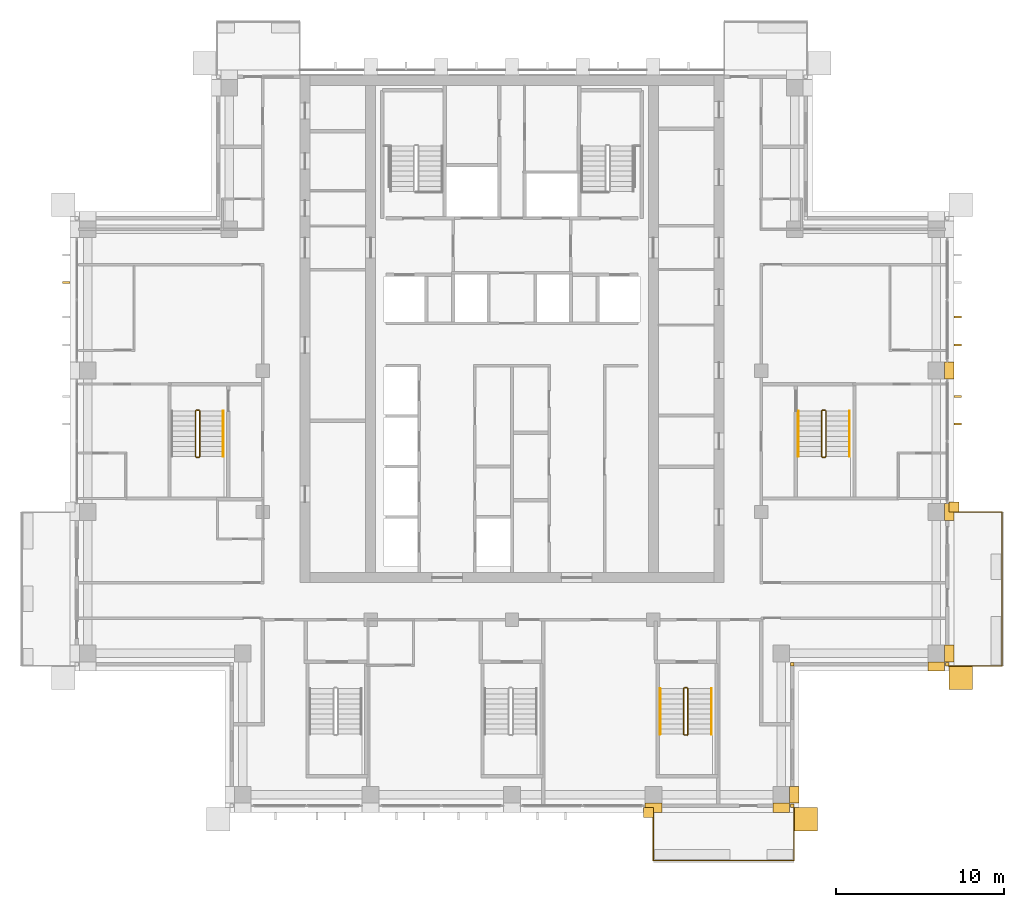
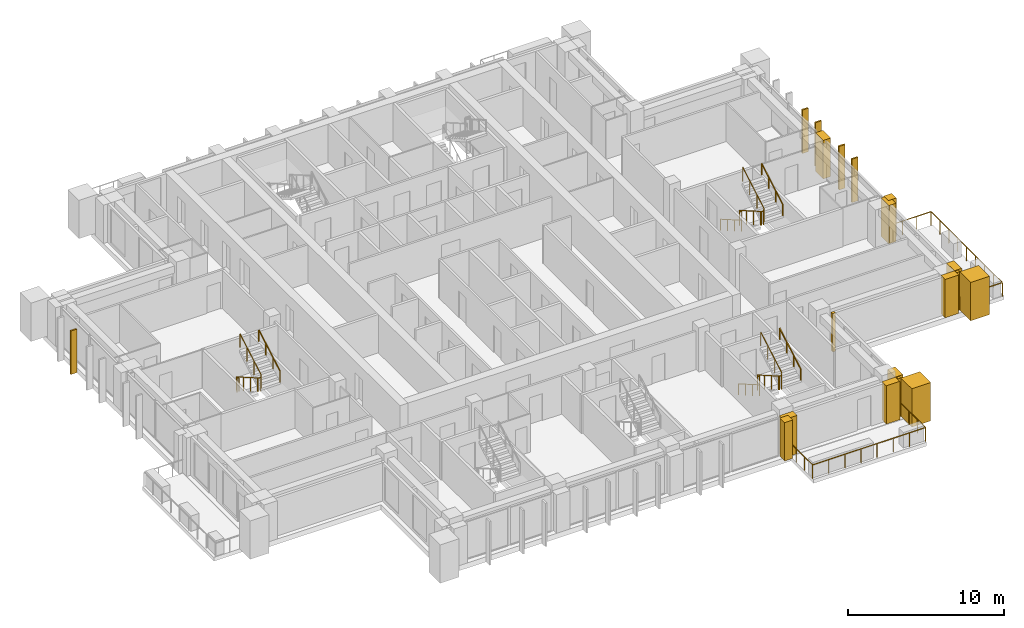
# One storey, part 17 of 19: 19 coverings, 10 railings.
"""IFC4 building model written with IfcOpenShell, lengths in metres."""

import ifcopenshell
import ifcopenshell.guid

model = None  # the IFC model being written
_history = None  # IfcOwnerHistory: only IFC2X3 demands one
_inside = {}  # id of a spatial element -> (the spatial element, [elements in it])
_under = {}  # id of a project, library or spatial element -> (it, [spatial elements below it])
_declared = {}  # id of a project -> (the project, [libraries it declares])
_typed = {}  # id of a type object -> (the type object, [elements of that type])
_made_of = {}  # id of a material, layer set ... -> (it, [elements and type objects made of it])


def new_model(schema):
    """Start an empty IFC model of exactly this schema.

    Asked for "IFC4X3", IfcOpenShell would pick the latest addendum, in which some entities
    have other attributes; the version numbers below select the first issue.
    IFC2X3 requires an IfcOwnerHistory on every rooted entity: one is made here for all.
    """
    global model, _history
    if schema == "IFC4X3":
        model = ifcopenshell.file(schema_version=(4, 3, 0, 0))
    else:
        model = ifcopenshell.file(schema=schema)
    _inside.clear()
    _under.clear()
    _declared.clear()
    _typed.clear()
    _made_of.clear()
    _history = None
    if model.schema == "IFC2X3":
        org = make("IfcOrganization", Name="unknown")
        user = make(
            "IfcPersonAndOrganization",
            ThePerson=make("IfcPerson", FamilyName="unknown"),
            TheOrganization=org,
        )
        app = make(
            "IfcApplication",
            ApplicationDeveloper=org,
            Version="unknown",
            ApplicationFullName="unknown",
            ApplicationIdentifier="unknown",
        )
        _history = make(
            "IfcOwnerHistory",
            OwningUser=user,
            OwningApplication=app,
            ChangeAction="ADDED",
            CreationDate=0,
        )
    return model


def make(cls, **values):
    """One entity of the class cls with the attributes given. An attribute that is None is left unset."""
    return model.create_entity(
        cls, **{name: value for name, value in values.items() if value is not None}
    )


def rooted(cls, **values):
    """An entity with a GlobalId (a new one), such as an element, a storey or a relation."""
    return make(cls, GlobalId=ifcopenshell.guid.new(), OwnerHistory=_history, **values)


def si_unit(unit_type, name, prefix=None):
    """IfcSIUnit, for example si_unit("LENGTHUNIT", "METRE", prefix="MILLI")."""
    return make("IfcSIUnit", UnitType=unit_type, Prefix=prefix, Name=name)


def assignment(units):
    """IfcUnitAssignment: the units of a project."""
    return None if units is None else make("IfcUnitAssignment", Units=units)


def point(xyz):
    """IfcCartesianPoint."""
    return None if xyz is None else make("IfcCartesianPoint", Coordinates=xyz)


def direction(xyz):
    """IfcDirection."""
    return None if xyz is None else make("IfcDirection", DirectionRatios=xyz)


def frame(location, z_axis=None, x_axis=None):
    """IfcAxis2Placement3D, a coordinate frame: its origin and axes. An axis left out is left unset."""
    return make(
        "IfcAxis2Placement3D",
        Location=point(location),
        Axis=direction(z_axis),
        RefDirection=direction(x_axis),
    )


def frame_2d(location, x_axis=None):
    """IfcAxis2Placement2D, a coordinate frame in the plane: its origin and x axis."""
    return make(
        "IfcAxis2Placement2D", Location=point(location), RefDirection=direction(x_axis)
    )


def origin():
    """The frame at (0, 0, 0) with its axes left unset."""
    return frame((0.0, 0.0, 0.0))


def origin_2d():
    """The frame at (0, 0) in the plane with its x axis left unset."""
    return frame_2d((0.0, 0.0))


def place(relative_to, where):
    """IfcLocalPlacement: puts the frame where relative to a parent placement (None: the world)."""
    return make(
        "IfcLocalPlacement", PlacementRelTo=relative_to, RelativePlacement=where
    )


def context(
    kind, dimensions, precision=None, world=None, true_north=None, identifier=None
):
    """IfcGeometricRepresentationContext, for example the 3D "Model" context."""
    return make(
        "IfcGeometricRepresentationContext",
        ContextIdentifier=identifier,
        ContextType=kind,
        CoordinateSpaceDimension=dimensions,
        Precision=precision,
        WorldCoordinateSystem=world,
        TrueNorth=true_north,
    )


def subcontext(parent, identifier, kind, view, scale=None):
    """IfcGeometricRepresentationSubContext, for example "Body" below "Model"."""
    return make(
        "IfcGeometricRepresentationSubContext",
        ContextIdentifier=identifier,
        ContextType=kind,
        ParentContext=parent,
        TargetScale=scale,
        TargetView=view,
    )


def project(units=None, contexts=None):
    """IfcProject with its units and contexts."""
    return rooted(
        "IfcProject",
        Name="project",
        RepresentationContexts=contexts,
        UnitsInContext=assignment(units),
    )


def spatial(cls, under=None, at=None, **own):
    """A site, building, storey or space (cls), placed at a placement, below another one or the project."""
    s = rooted(cls, ObjectPlacement=at, **own)
    if under is not None:
        _under.setdefault(under.id(), (under, []))[1].append(s)
    return s


def polyline(points):
    """IfcPolyline through the points."""
    return make("IfcPolyline", Points=[point(p) for p in points])


def profile(cls, at=None, kind="AREA", **sizes):
    """A parametric profile (cls). Its sizes go by their IFC names, for example OverallWidth=200.0."""
    return make(cls, ProfileType=kind, Position=at, **sizes)


def rectangle(**sizes):
    """IfcRectangleProfileDef."""
    return profile("IfcRectangleProfileDef", **sizes)


def outline(outer, holes=None, kind="AREA"):
    """IfcArbitraryClosedProfileDef: a profile drawn as a closed curve; with holes, ...WithVoids."""
    if holes is None:
        return make("IfcArbitraryClosedProfileDef", ProfileType=kind, OuterCurve=outer)
    return make(
        "IfcArbitraryProfileDefWithVoids",
        ProfileType=kind,
        OuterCurve=outer,
        InnerCurves=holes,
    )


def extrude(swept, where, along, depth):
    """IfcExtrudedAreaSolid: the profile swept, set in the frame where, extruded along a direction by depth."""
    return make(
        "IfcExtrudedAreaSolid",
        SweptArea=swept,
        Position=where,
        ExtrudedDirection=direction(along),
        Depth=depth,
    )


def shape(context_of_items, identifier, shape_type, items):
    """IfcShapeRepresentation: the items that make up one representation, for example the "Body"."""
    return make(
        "IfcShapeRepresentation",
        ContextOfItems=context_of_items,
        RepresentationIdentifier=identifier,
        RepresentationType=shape_type,
        Items=items,
    )


def material(Name=None, Category=None):
    """IfcMaterial."""
    return make("IfcMaterial", Name=Name, Category=Category)


def layer(
    of_material, thickness, ventilated=None, Name=None, Category=None, Priority=None
):
    """IfcMaterialLayer: one layer of a wall or slab, of a material (None: an air gap)."""
    return make(
        "IfcMaterialLayer",
        Material=of_material,
        LayerThickness=thickness,
        IsVentilated=ventilated,
        Name=Name,
        Category=Category,
        Priority=Priority,
    )


def layer_set(layers, Name=None):
    """IfcMaterialLayerSet."""
    return make("IfcMaterialLayerSet", MaterialLayers=layers, LayerSetName=Name)


def made_of(thing, what):
    """Note that an element or type object is made of a material, layer set ...; save() writes the relation."""
    if what is not None:
        _made_of.setdefault(what.id(), (what, []))[1].append(thing)
    return thing


def type_object(cls, material=None, **own):
    """A type object (cls), such as IfcWallType, which elements share."""
    return made_of(rooted(cls, **own), material)


def element(
    cls,
    number,
    at=None,
    inside=None,
    cuts=None,
    type_object=None,
    material=None,
    context=None,
    identifier="Body",
    shape_type=None,
    held_by="IfcProductDefinitionShape",
    body=None,
    shapes=None,
    **own,
):
    """One element of the class cls, such as IfcWall. Its Tag is "e" and its number.

    at: its placement. inside: the storey or other place that contains it. cuts: it is an
    opening in that element (IfcRelVoidsElement). A single representation is given by context,
    identifier, shape_type and body (its items); several are given by shapes. held_by: the class
    of the entity that holds the representations. save() writes the other relations.
    """
    e = rooted(cls, Tag="e%d" % number, ObjectPlacement=at, **own)
    if body is not None:
        shapes = [shape(context, identifier, shape_type, body)]
    if shapes is not None:
        e.Representation = make(held_by, Representations=shapes)
    if inside is not None:
        _inside.setdefault(inside.id(), (inside, []))[1].append(e)
    if cuts is not None:
        rooted(
            "IfcRelVoidsElement", RelatingBuildingElement=cuts, RelatedOpeningElement=e
        )
    if type_object is not None:
        _typed.setdefault(type_object.id(), (type_object, []))[1].append(e)
    return made_of(e, material)


def aggregate(whole, parts):
    """IfcRelAggregates: a whole, such as a stair, and the parts it consists of."""
    return rooted("IfcRelAggregates", RelatingObject=whole, RelatedObjects=parts)


def save(model, path):
    """Write the relations noted so far, then the file.

    IfcRelAggregates (storeys below a building ...), IfcRelContainedInSpatialStructure (elements
    in a storey), IfcRelDefinesByType, IfcRelAssociatesMaterial and IfcRelDeclares: one each for
    every whole, place, type object, material and project.
    """
    for whole, parts in _under.values():
        aggregate(whole, parts)
    for where, things in _inside.values():
        rooted(
            "IfcRelContainedInSpatialStructure",
            RelatedElements=things,
            RelatingStructure=where,
        )
    for kind, things in _typed.values():
        rooted("IfcRelDefinesByType", RelatedObjects=things, RelatingType=kind)
    for what, things in _made_of.values():
        rooted("IfcRelAssociatesMaterial", RelatedObjects=things, RelatingMaterial=what)
    for by, libraries in _declared.values():
        rooted("IfcRelDeclares", RelatingContext=by, RelatedDefinitions=libraries)
    model.write(path)


model = new_model("IFC4")

# Units and contexts
model_context = context("Model", 3, precision=1e-05, world=origin(), true_north=direction((0.0, 1.0)))
body_context = subcontext(model_context, "Body", "Model", "MODEL_VIEW")
ifc_project = project(units=[si_unit("LENGTHUNIT", "METRE"), si_unit("AREAUNIT", "SQUARE_METRE"), si_unit("VOLUMEUNIT", "CUBIC_METRE"), si_unit("PLANEANGLEUNIT", "RADIAN"), si_unit("MASSUNIT", "GRAM", prefix="KILO")], contexts=[model_context])

# Site, building, storey
site_placement = place(None, origin())
site = spatial("IfcSite", under=ifc_project, at=site_placement, CompositionType="ELEMENT")
building_placement = place(site_placement, origin())
building = spatial("IfcBuilding", under=site, at=building_placement, Name="Vermilion Ogive Tower", CompositionType="ELEMENT")
storey_placement = place(building_placement, frame((0.0, 0.0, 213.5)))
storey = spatial("IfcBuildingStorey", under=building, at=storey_placement, Name="L56", CompositionType="ELEMENT", Elevation=213.5)

# Railings
ifc_material_1 = material(Name="Stainless steel and glass", Category="steel")
railing_type_1 = type_object("IfcRailingType", Name="Balcony guard", PredefinedType="GUARDRAIL", material=ifc_material_1)
railing_1_placement = place(storey_placement, frame((8.39990234375, -21.75, -0.0400390625)))
element("IfcRailing", 1, at=railing_1_placement, inside=storey, type_object=railing_type_1, Name="Guard S04", PredefinedType="GUARDRAIL", context=body_context, shape_type="SweptSolid", body=[
    extrude(rectangle(XDim=0.048095703125, YDim=0.048095703125, at=origin_2d()), frame((0.0, 0.0, 1.076171875), z_axis=(0.0, -1.0, 0.0), x_axis=(1.0, 0.0, 0.0)), (0.0, 0.0, 1.0), 3.159912109375),
    extrude(rectangle(XDim=0.048095703125, YDim=0.048095703125, at=origin_2d()), frame((0.0, -3.159912109375, 1.076171875), z_axis=(1.0, 0.0, 0.0), x_axis=(0.0, 1.0, 0.0)), (0.0, 0.0, 1.0), 8.35009765625),
    extrude(rectangle(XDim=0.048095703125, YDim=0.048095703125, at=origin_2d()), frame((8.35009765625, -3.159912109375, 1.076171875), z_axis=(0.0, 1.0, 0.0), x_axis=(-1.0, 0.0, 0.0)), (0.0, 0.0, 1.0), 3.159912109375),
    extrude(rectangle(XDim=0.0419921875, YDim=0.0419921875, at=origin_2d()), origin(), (0.0, 0.0, 1.0), 1.052001953125),
    extrude(rectangle(XDim=0.0419921875, YDim=0.0419921875, at=origin_2d()), frame((0.0, -1.05322265625, 0.0)), (0.0, 0.0, 1.0), 1.052001953125),
    extrude(rectangle(XDim=0.0419921875, YDim=0.0419921875, at=origin_2d()), frame((0.0, -2.106689453125, 0.0)), (0.0, 0.0, 1.0), 1.052001953125),
    extrude(rectangle(XDim=0.0419921875, YDim=0.0419921875, at=origin_2d()), frame((0.0, -3.159912109375, 0.0)), (0.0, 0.0, 1.0), 1.052001953125),
    extrude(rectangle(XDim=0.0419921875, YDim=0.0419921875, at=origin_2d()), frame((1.19287109375, -3.159912109375, 0.0)), (0.0, 0.0, 1.0), 1.052001953125),
    extrude(rectangle(XDim=0.0419921875, YDim=0.0419921875, at=origin_2d()), frame((2.3857421875, -3.159912109375, 0.0)), (0.0, 0.0, 1.0), 1.052001953125),
    extrude(rectangle(XDim=0.0419921875, YDim=0.0419921875, at=origin_2d()), frame((3.57861328125, -3.159912109375, 0.0)), (0.0, 0.0, 1.0), 1.052001953125),
    extrude(rectangle(XDim=0.0419921875, YDim=0.0419921875, at=origin_2d()), frame((4.771484375, -3.159912109375, 0.0)), (0.0, 0.0, 1.0), 1.052001953125),
    extrude(rectangle(XDim=0.0419921875, YDim=0.0419921875, at=origin_2d()), frame((5.96435546875, -3.159912109375, 0.0)), (0.0, 0.0, 1.0), 1.052001953125),
    extrude(rectangle(XDim=0.0419921875, YDim=0.0419921875, at=origin_2d()), frame((7.1572265625, -3.159912109375, 0.0)), (0.0, 0.0, 1.0), 1.052001953125),
    extrude(rectangle(XDim=0.0419921875, YDim=0.0419921875, at=origin_2d()), frame((8.35009765625, -3.159912109375, 0.0)), (0.0, 0.0, 1.0), 1.052001953125),
    extrude(rectangle(XDim=0.0419921875, YDim=0.0419921875, at=origin_2d()), frame((8.35009765625, -2.106689453125, 0.0)), (0.0, 0.0, 1.0), 1.052001953125),
    extrude(rectangle(XDim=0.0419921875, YDim=0.0419921875, at=origin_2d()), frame((8.35009765625, -1.05322265625, 0.0)), (0.0, 0.0, 1.0), 1.052001953125),
    extrude(rectangle(XDim=0.0419921875, YDim=0.0419921875, at=origin_2d()), frame((8.35009765625, 0.0, 0.0)), (0.0, 0.0, 1.0), 1.052001953125),
])
railing_2_placement = place(storey_placement, frame((25.949951171875, -13.35009765625, -0.0400390625)))
element("IfcRailing", 2, at=railing_2_placement, inside=storey, type_object=railing_type_1, Name="Guard E01", PredefinedType="GUARDRAIL", context=body_context, shape_type="SweptSolid", body=[
    extrude(rectangle(XDim=0.048095703125, YDim=0.048095703125, at=origin_2d()), frame((0.0, 0.0, 1.076171875), z_axis=(1.0, 0.0, 0.0), x_axis=(0.0, 1.0, 0.0)), (0.0, 0.0, 1.0), 3.16015625),
    extrude(rectangle(XDim=0.048095703125, YDim=0.048095703125, at=origin_2d()), frame((3.16015625, 0.0, 1.076171875), z_axis=(0.0, 1.0, 0.0), x_axis=(-1.0, 0.0, 0.0)), (0.0, 0.0, 1.0), 9.150146484375),
    extrude(rectangle(XDim=0.048095703125, YDim=0.048095703125, at=origin_2d()), frame((3.16015625, 9.150146484375, 1.076171875), z_axis=(-1.0, 0.0, 0.0), x_axis=(0.0, -1.0, 0.0)), (0.0, 0.0, 1.0), 3.16015625),
    extrude(rectangle(XDim=0.0419921875, YDim=0.0419921875, at=origin_2d()), origin(), (0.0, 0.0, 1.0), 1.052001953125),
    extrude(rectangle(XDim=0.0419921875, YDim=0.0419921875, at=origin_2d()), frame((1.053466796875, 0.0, 0.0)), (0.0, 0.0, 1.0), 1.052001953125),
    extrude(rectangle(XDim=0.0419921875, YDim=0.0419921875, at=origin_2d()), frame((2.106689453125, 0.0, 0.0)), (0.0, 0.0, 1.0), 1.052001953125),
    extrude(rectangle(XDim=0.0419921875, YDim=0.0419921875, at=origin_2d()), frame((3.16015625, 0.0, 0.0)), (0.0, 0.0, 1.0), 1.052001953125),
    extrude(rectangle(XDim=0.0419921875, YDim=0.0419921875, at=origin_2d()), frame((3.16015625, 1.143798828125, 0.0)), (0.0, 0.0, 1.0), 1.052001953125),
    extrude(rectangle(XDim=0.0419921875, YDim=0.0419921875, at=origin_2d()), frame((3.16015625, 2.28759765625, 0.0)), (0.0, 0.0, 1.0), 1.052001953125),
    extrude(rectangle(XDim=0.0419921875, YDim=0.0419921875, at=origin_2d()), frame((3.16015625, 3.431396484375, 0.0)), (0.0, 0.0, 1.0), 1.052001953125),
    extrude(rectangle(XDim=0.0419921875, YDim=0.0419921875, at=origin_2d()), frame((3.16015625, 4.5751953125, 0.0)), (0.0, 0.0, 1.0), 1.052001953125),
    extrude(rectangle(XDim=0.0419921875, YDim=0.0419921875, at=origin_2d()), frame((3.16015625, 5.71875, 0.0)), (0.0, 0.0, 1.0), 1.052001953125),
    extrude(rectangle(XDim=0.0419921875, YDim=0.0419921875, at=origin_2d()), frame((3.16015625, 6.862548828125, 0.0)), (0.0, 0.0, 1.0), 1.052001953125),
    extrude(rectangle(XDim=0.0419921875, YDim=0.0419921875, at=origin_2d()), frame((3.16015625, 8.00634765625, 0.0)), (0.0, 0.0, 1.0), 1.052001953125),
    extrude(rectangle(XDim=0.0419921875, YDim=0.0419921875, at=origin_2d()), frame((3.16015625, 9.150146484375, 0.0)), (0.0, 0.0, 1.0), 1.052001953125),
    extrude(rectangle(XDim=0.0419921875, YDim=0.0419921875, at=origin_2d()), frame((2.106689453125, 9.150146484375, 0.0)), (0.0, 0.0, 1.0), 1.052001953125),
    extrude(rectangle(XDim=0.0419921875, YDim=0.0419921875, at=origin_2d()), frame((1.053466796875, 9.150146484375, 0.0)), (0.0, 0.0, 1.0), 1.052001953125),
    extrude(rectangle(XDim=0.0419921875, YDim=0.0419921875, at=origin_2d()), frame((0.0, 9.150146484375, 0.0)), (0.0, 0.0, 1.0), 1.052001953125),
])

# Coverings
ifc_material_2 = material(Name="Glazed ceramic screen")
ifc_layer = layer(ifc_material_2, 0.14990234375)
ifc_layer_set = layer_set([ifc_layer], Name="Ceramic solar screen fin")
covering_type_1 = type_object("IfcCoveringType", Name="Ceramic solar screen fin", PredefinedType="CLADDING", material=ifc_layer_set)
covering_1_placement = place(storey_placement, frame((0.0, 0.0, -0.39990234375)))
element("IfcCovering", 3, at=covering_1_placement, inside=storey, type_object=covering_type_1, Name="Solar screen blade E001", PredefinedType="CLADDING", context=body_context, shape_type="SweptSolid", body=[
    extrude(outline(polyline([(26.699951171875, 0.965087890625), (26.699951171875, 1.0849609375), (26.25, 1.0849609375), (26.25, 0.965087890625), (26.699951171875, 0.965087890625)])), origin(), (0.0, 0.0, 1.0), 3.39990234375),
])
covering_2_placement = place(storey_placement, frame((0.0, 0.0, -0.39990234375)))
element("IfcCovering", 4, at=covering_2_placement, inside=storey, type_object=covering_type_1, Name="Solar screen blade E002", PredefinedType="CLADDING", context=body_context, shape_type="SweptSolid", body=[
    extrude(outline(polyline([(26.699951171875, 2.614990234375), (26.699951171875, 2.735107421875), (26.25, 2.735107421875), (26.25, 2.614990234375), (26.699951171875, 2.614990234375)])), origin(), (0.0, 0.0, 1.0), 3.39990234375),
])
covering_3_placement = place(storey_placement, frame((0.0, 0.0, -0.39990234375)))
element("IfcCovering", 5, at=covering_3_placement, inside=storey, type_object=covering_type_1, Name="Solar screen blade E011", PredefinedType="CLADDING", context=body_context, shape_type="SweptSolid", body=[
    extrude(outline(polyline([(26.699951171875, 5.6650390625), (26.699951171875, 5.784912109375), (26.25, 5.784912109375), (26.25, 5.6650390625), (26.699951171875, 5.6650390625)])), origin(), (0.0, 0.0, 1.0), 3.39990234375),
])
covering_4_placement = place(storey_placement, frame((0.0, 0.0, -0.39990234375)))
element("IfcCovering", 6, at=covering_4_placement, inside=storey, type_object=covering_type_1, Name="Solar screen blade E012", PredefinedType="CLADDING", context=body_context, shape_type="SweptSolid", body=[
    extrude(outline(polyline([(26.699951171875, 7.31494140625), (26.699951171875, 7.43505859375), (26.25, 7.43505859375), (26.25, 7.31494140625), (26.699951171875, 7.31494140625)])), origin(), (0.0, 0.0, 1.0), 3.39990234375),
])
covering_5_placement = place(storey_placement, frame((0.0, 0.0, -0.39990234375)))
element("IfcCovering", 7, at=covering_5_placement, inside=storey, type_object=covering_type_1, Name="Solar screen blade W022", PredefinedType="CLADDING", context=body_context, shape_type="SweptSolid", body=[
    extrude(outline(polyline([(-26.699951171875, 9.485107421875), (-26.699951171875, 9.364990234375), (-26.25, 9.364990234375), (-26.25, 9.485107421875), (-26.699951171875, 9.485107421875)])), origin(), (0.0, 0.0, 1.0), 3.39990234375),
])

# Railings
ifc_material_3 = material(Name="Steel S355 painted", Category="steel")
railing_type_2 = type_object("IfcRailingType", Name="Stair guard 1100", PredefinedType="GUARDRAIL", material=ifc_material_3)
railing_3_placement = place(storey_placement, frame((10.39990234375, -14.64990234375, 0.0)))
element("IfcRailing", 8, at=railing_3_placement, inside=storey, type_object=railing_type_2, Name="L56 ST5 stair guard 4", PredefinedType="GUARDRAIL", context=body_context, shape_type="SweptSolid", body=[
    extrude(rectangle(XDim=0.048095703125, YDim=0.048095703125, at=origin_2d()), frame((0.0, 0.0, 1.076171875), z_axis=(-1.0, 0.0, 0.0), x_axis=(0.0, -1.0, 0.0)), (0.0, 0.0, 1.0), 0.14990234375),
    extrude(rectangle(XDim=0.048095703125, YDim=0.048095703125, at=origin_2d()), frame((-0.14990234375, 0.0, 1.076171875), z_axis=(-0.268277960024, -0.268277960024, 0.925231793839), x_axis=(0.707106781187, -0.707106781187, 0.0)), (0.0, 0.0, 1.0), 0.1865234375),
    extrude(rectangle(XDim=0.048095703125, YDim=0.048095703125, at=origin_2d()), frame((-0.199951171875, -0.050048828125, 1.24853515625), z_axis=(0.0, -0.866903762492, 0.498475542607), x_axis=(1.0, 0.0, 0.0)), (0.0, 0.0, 1.0), 3.114501953125),
    extrude(rectangle(XDim=0.048095703125, YDim=0.048095703125, at=origin_2d()), frame((-0.199951171875, -2.75, 2.80126953125), z_axis=(0.707106781187, -0.707106781187, 0.0), x_axis=(0.707106781187, 0.707106781187, 0.0)), (0.0, 0.0, 1.0), 0.07080078125),
    extrude(rectangle(XDim=0.048095703125, YDim=0.048095703125, at=origin_2d()), frame((-0.14990234375, -2.800048828125, 2.80126953125), z_axis=(1.0, 0.0, 0.0), x_axis=(0.0, 1.0, 0.0)), (0.0, 0.0, 1.0), 0.14990234375),
    extrude(rectangle(XDim=0.048095703125, YDim=0.048095703125, at=origin_2d()), frame((0.0, -2.800048828125, 2.80126953125), z_axis=(0.268603158521, 0.268603158521, 0.925043072762), x_axis=(-0.707106781187, 0.707106781187, 0.0)), (0.0, 0.0, 1.0), 0.186279296875),
    extrude(rectangle(XDim=0.048095703125, YDim=0.048095703125, at=origin_2d()), frame((0.050048828125, -2.75, 2.9736328125), z_axis=(0.0, 0.866903762492, 0.498475542607), x_axis=(-1.0, 0.0, 0.0)), (0.0, 0.0, 1.0), 3.114501953125),
    extrude(rectangle(XDim=0.0419921875, YDim=0.0419921875, at=origin_2d()), origin(), (0.0, 0.0, 1.0), 1.052001953125),
    extrude(rectangle(XDim=0.0419921875, YDim=0.0419921875, at=origin_2d()), frame((-0.14990234375, 0.0, 0.0)), (0.0, 0.0, 1.0), 1.052001953125),
    extrude(rectangle(XDim=0.0419921875, YDim=0.0419921875, at=origin_2d()), frame((-0.199951171875, -0.050048828125, 0.172607421875)), (0.0, 0.0, 1.0), 1.052001953125),
    extrude(rectangle(XDim=0.0419921875, YDim=0.0419921875, at=origin_2d()), frame((-0.199951171875, -0.949951171875, 0.690185546875)), (0.0, 0.0, 1.0), 1.052001953125),
    extrude(rectangle(XDim=0.0419921875, YDim=0.0419921875, at=origin_2d()), frame((-0.199951171875, -1.85009765625, 1.20751953125)), (0.0, 0.0, 1.0), 1.052001953125),
    extrude(rectangle(XDim=0.0419921875, YDim=0.0419921875, at=origin_2d()), frame((-0.199951171875, -2.75, 1.72509765625)), (0.0, 0.0, 1.0), 1.052001953125),
    extrude(rectangle(XDim=0.0419921875, YDim=0.0419921875, at=origin_2d()), frame((-0.14990234375, -2.800048828125, 1.72509765625)), (0.0, 0.0, 1.0), 1.052001953125),
    extrude(rectangle(XDim=0.0419921875, YDim=0.0419921875, at=origin_2d()), frame((0.0, -2.800048828125, 1.72509765625)), (0.0, 0.0, 1.0), 1.052001953125),
    extrude(rectangle(XDim=0.0419921875, YDim=0.0419921875, at=origin_2d()), frame((0.050048828125, -2.75, 1.8974609375)), (0.0, 0.0, 1.0), 1.052001953125),
    extrude(rectangle(XDim=0.0419921875, YDim=0.0419921875, at=origin_2d()), frame((0.050048828125, -1.85009765625, 2.4150390625)), (0.0, 0.0, 1.0), 1.052001953125),
    extrude(rectangle(XDim=0.0419921875, YDim=0.0419921875, at=origin_2d()), frame((0.050048828125, -0.949951171875, 2.932373046875)), (0.0, 0.0, 1.0), 1.052001953125),
    extrude(rectangle(XDim=0.0419921875, YDim=0.0419921875, at=origin_2d()), frame((0.050048828125, -0.050048828125, 3.449951171875)), (0.0, 0.0, 1.0), 1.052001953125),
])
railing_4_placement = place(storey_placement, frame((18.60009765625, 1.85009765625, 0.0)))
element("IfcRailing", 9, at=railing_4_placement, inside=storey, type_object=railing_type_2, Name="L56 ST8 stair guard 4", PredefinedType="GUARDRAIL", context=body_context, shape_type="SweptSolid", body=[
    extrude(rectangle(XDim=0.048095703125, YDim=0.048095703125, at=origin_2d()), frame((0.0, 0.0, 1.076171875), z_axis=(-1.0, 0.0, 0.0), x_axis=(0.0, -1.0, 0.0)), (0.0, 0.0, 1.0), 0.150146484375),
    extrude(rectangle(XDim=0.048095703125, YDim=0.048095703125, at=origin_2d()), frame((-0.150146484375, 0.0, 1.076171875), z_axis=(-0.268277960024, -0.268277960024, 0.925231793839), x_axis=(0.707106781187, -0.707106781187, 0.0)), (0.0, 0.0, 1.0), 0.1865234375),
    extrude(rectangle(XDim=0.048095703125, YDim=0.048095703125, at=origin_2d()), frame((-0.2001953125, -0.050048828125, 1.24853515625), z_axis=(0.0, -0.866903762492, 0.498475542607), x_axis=(1.0, 0.0, 0.0)), (0.0, 0.0, 1.0), 3.114501953125),
    extrude(rectangle(XDim=0.048095703125, YDim=0.048095703125, at=origin_2d()), frame((-0.2001953125, -2.75, 2.80126953125), z_axis=(0.707106781187, -0.707106781187, 0.0), x_axis=(0.707106781187, 0.707106781187, 0.0)), (0.0, 0.0, 1.0), 0.07080078125),
    extrude(rectangle(XDim=0.048095703125, YDim=0.048095703125, at=origin_2d()), frame((-0.150146484375, -2.800048828125, 2.80126953125), z_axis=(1.0, 0.0, 0.0), x_axis=(0.0, 1.0, 0.0)), (0.0, 0.0, 1.0), 0.150146484375),
    extrude(rectangle(XDim=0.048095703125, YDim=0.048095703125, at=origin_2d()), frame((0.0, -2.800048828125, 2.80126953125), z_axis=(0.267386790225, 0.268697509785, 0.925368009307), x_axis=(-0.708833529934, 0.705375805398, 0.0)), (0.0, 0.0, 1.0), 0.186279296875),
    extrude(rectangle(XDim=0.048095703125, YDim=0.048095703125, at=origin_2d()), frame((0.0498046875, -2.75, 2.9736328125), z_axis=(0.0, 0.866903762492, 0.498475542607), x_axis=(-1.0, 0.0, 0.0)), (0.0, 0.0, 1.0), 3.114501953125),
    extrude(rectangle(XDim=0.0419921875, YDim=0.0419921875, at=origin_2d()), origin(), (0.0, 0.0, 1.0), 1.052001953125),
    extrude(rectangle(XDim=0.0419921875, YDim=0.0419921875, at=origin_2d()), frame((-0.150146484375, 0.0, 0.0)), (0.0, 0.0, 1.0), 1.052001953125),
    extrude(rectangle(XDim=0.0419921875, YDim=0.0419921875, at=origin_2d()), frame((-0.2001953125, -0.050048828125, 0.172607421875)), (0.0, 0.0, 1.0), 1.052001953125),
    extrude(rectangle(XDim=0.0419921875, YDim=0.0419921875, at=origin_2d()), frame((-0.2001953125, -0.949951171875, 0.690185546875)), (0.0, 0.0, 1.0), 1.052001953125),
    extrude(rectangle(XDim=0.0419921875, YDim=0.0419921875, at=origin_2d()), frame((-0.2001953125, -1.85009765625, 1.20751953125)), (0.0, 0.0, 1.0), 1.052001953125),
    extrude(rectangle(XDim=0.0419921875, YDim=0.0419921875, at=origin_2d()), frame((-0.2001953125, -2.75, 1.72509765625)), (0.0, 0.0, 1.0), 1.052001953125),
    extrude(rectangle(XDim=0.0419921875, YDim=0.0419921875, at=origin_2d()), frame((-0.150146484375, -2.800048828125, 1.72509765625)), (0.0, 0.0, 1.0), 1.052001953125),
    extrude(rectangle(XDim=0.0419921875, YDim=0.0419921875, at=origin_2d()), frame((0.0, -2.800048828125, 1.72509765625)), (0.0, 0.0, 1.0), 1.052001953125),
    extrude(rectangle(XDim=0.0419921875, YDim=0.0419921875, at=origin_2d()), frame((0.0498046875, -2.75, 1.8974609375)), (0.0, 0.0, 1.0), 1.052001953125),
    extrude(rectangle(XDim=0.0419921875, YDim=0.0419921875, at=origin_2d()), frame((0.0498046875, -1.85009765625, 2.4150390625)), (0.0, 0.0, 1.0), 1.052001953125),
    extrude(rectangle(XDim=0.0419921875, YDim=0.0419921875, at=origin_2d()), frame((0.0498046875, -0.949951171875, 2.932373046875)), (0.0, 0.0, 1.0), 1.052001953125),
    extrude(rectangle(XDim=0.0419921875, YDim=0.0419921875, at=origin_2d()), frame((0.0498046875, -0.050048828125, 3.449951171875)), (0.0, 0.0, 1.0), 1.052001953125),
])
railing_5_placement = place(storey_placement, frame((-18.60009765625, 1.85009765625, 0.0)))
element("IfcRailing", 10, at=railing_5_placement, inside=storey, type_object=railing_type_2, Name="L56 ST9 stair guard 4", PredefinedType="GUARDRAIL", context=body_context, shape_type="SweptSolid", body=[
    extrude(rectangle(XDim=0.048095703125, YDim=0.048095703125, at=origin_2d()), frame((0.0, 0.0, 1.076171875), z_axis=(-1.0, 0.0, 0.0), x_axis=(0.0, -1.0, 0.0)), (0.0, 0.0, 1.0), 0.14990234375),
    extrude(rectangle(XDim=0.048095703125, YDim=0.048095703125, at=origin_2d()), frame((-0.14990234375, 0.0, 1.076171875), z_axis=(-0.268277960024, -0.268277960024, 0.925231793839), x_axis=(0.707106781187, -0.707106781187, 0.0)), (0.0, 0.0, 1.0), 0.1865234375),
    extrude(rectangle(XDim=0.048095703125, YDim=0.048095703125, at=origin_2d()), frame((-0.199951171875, -0.050048828125, 1.24853515625), z_axis=(0.0, -0.866903762492, 0.498475542607), x_axis=(1.0, 0.0, 0.0)), (0.0, 0.0, 1.0), 3.114501953125),
    extrude(rectangle(XDim=0.048095703125, YDim=0.048095703125, at=origin_2d()), frame((-0.199951171875, -2.75, 2.80126953125), z_axis=(0.707106781187, -0.707106781187, 0.0), x_axis=(0.707106781187, 0.707106781187, 0.0)), (0.0, 0.0, 1.0), 0.07080078125),
    extrude(rectangle(XDim=0.048095703125, YDim=0.048095703125, at=origin_2d()), frame((-0.14990234375, -2.800048828125, 2.80126953125), z_axis=(1.0, 0.0, 0.0), x_axis=(0.0, 1.0, 0.0)), (0.0, 0.0, 1.0), 0.14990234375),
    extrude(rectangle(XDim=0.048095703125, YDim=0.048095703125, at=origin_2d()), frame((0.0, -2.800048828125, 2.80126953125), z_axis=(0.268603158521, 0.268603158521, 0.925043072762), x_axis=(-0.707106781187, 0.707106781187, 0.0)), (0.0, 0.0, 1.0), 0.186279296875),
    extrude(rectangle(XDim=0.048095703125, YDim=0.048095703125, at=origin_2d()), frame((0.050048828125, -2.75, 2.9736328125), z_axis=(0.0, 0.866903762492, 0.498475542607), x_axis=(-1.0, 0.0, 0.0)), (0.0, 0.0, 1.0), 3.114501953125),
    extrude(rectangle(XDim=0.0419921875, YDim=0.0419921875, at=origin_2d()), origin(), (0.0, 0.0, 1.0), 1.052001953125),
    extrude(rectangle(XDim=0.0419921875, YDim=0.0419921875, at=origin_2d()), frame((-0.14990234375, 0.0, 0.0)), (0.0, 0.0, 1.0), 1.052001953125),
    extrude(rectangle(XDim=0.0419921875, YDim=0.0419921875, at=origin_2d()), frame((-0.199951171875, -0.050048828125, 0.172607421875)), (0.0, 0.0, 1.0), 1.052001953125),
    extrude(rectangle(XDim=0.0419921875, YDim=0.0419921875, at=origin_2d()), frame((-0.199951171875, -0.949951171875, 0.690185546875)), (0.0, 0.0, 1.0), 1.052001953125),
    extrude(rectangle(XDim=0.0419921875, YDim=0.0419921875, at=origin_2d()), frame((-0.199951171875, -1.85009765625, 1.20751953125)), (0.0, 0.0, 1.0), 1.052001953125),
    extrude(rectangle(XDim=0.0419921875, YDim=0.0419921875, at=origin_2d()), frame((-0.199951171875, -2.75, 1.72509765625)), (0.0, 0.0, 1.0), 1.052001953125),
    extrude(rectangle(XDim=0.0419921875, YDim=0.0419921875, at=origin_2d()), frame((-0.14990234375, -2.800048828125, 1.72509765625)), (0.0, 0.0, 1.0), 1.052001953125),
    extrude(rectangle(XDim=0.0419921875, YDim=0.0419921875, at=origin_2d()), frame((0.0, -2.800048828125, 1.72509765625)), (0.0, 0.0, 1.0), 1.052001953125),
    extrude(rectangle(XDim=0.0419921875, YDim=0.0419921875, at=origin_2d()), frame((0.050048828125, -2.75, 1.8974609375)), (0.0, 0.0, 1.0), 1.052001953125),
    extrude(rectangle(XDim=0.0419921875, YDim=0.0419921875, at=origin_2d()), frame((0.050048828125, -1.85009765625, 2.4150390625)), (0.0, 0.0, 1.0), 1.052001953125),
    extrude(rectangle(XDim=0.0419921875, YDim=0.0419921875, at=origin_2d()), frame((0.050048828125, -0.949951171875, 2.932373046875)), (0.0, 0.0, 1.0), 1.052001953125),
    extrude(rectangle(XDim=0.0419921875, YDim=0.0419921875, at=origin_2d()), frame((0.050048828125, -0.050048828125, 3.449951171875)), (0.0, 0.0, 1.0), 1.052001953125),
])
ifc_material_4 = material(Name="Stainless steel", Category="steel")
railing_type_3 = type_object("IfcRailingType", Name="Stair handrail 900", PredefinedType="HANDRAIL", material=ifc_material_4)
railing_6_placement = place(storey_placement, frame((8.800048828125, -14.699951171875, 0.172607421875)))
element("IfcRailing", 11, at=railing_6_placement, inside=storey, type_object=railing_type_3, Name="L56 ST5 stair handrail 1", PredefinedType="HANDRAIL", context=body_context, shape_type="SweptSolid", body=[
    extrude(rectangle(XDim=0.048095703125, YDim=0.048095703125, at=origin_2d()), frame((0.0, 0.0, 0.8759765625), z_axis=(0.0, -0.866903762492, 0.498475542607), x_axis=(1.0, 0.0, 0.0)), (0.0, 0.0, 1.0), 3.114501953125),
    extrude(rectangle(XDim=0.0419921875, YDim=0.0419921875, at=origin_2d()), origin(), (0.0, 0.0, 1.0), 0.851806640625),
    extrude(rectangle(XDim=0.0419921875, YDim=0.0419921875, at=origin_2d()), frame((0.0, -0.89990234375, 0.517578125)), (0.0, 0.0, 1.0), 0.851806640625),
    extrude(rectangle(XDim=0.0419921875, YDim=0.0419921875, at=origin_2d()), frame((0.0, -1.800048828125, 1.034912109375)), (0.0, 0.0, 1.0), 0.851806640625),
    extrude(rectangle(XDim=0.0419921875, YDim=0.0419921875, at=origin_2d()), frame((0.0, -2.699951171875, 1.552490234375)), (0.0, 0.0, 1.0), 0.851806640625),
])
railing_7_placement = place(storey_placement, frame((11.85009765625, -17.39990234375, 1.8974609375)))
element("IfcRailing", 12, at=railing_7_placement, inside=storey, type_object=railing_type_3, Name="L56 ST5 stair handrail 2", PredefinedType="HANDRAIL", context=body_context, shape_type="SweptSolid", body=[
    extrude(rectangle(XDim=0.048095703125, YDim=0.048095703125, at=origin_2d()), frame((0.0, 0.0, 0.8759765625), z_axis=(0.0, 0.866903762492, 0.498475542607), x_axis=(-1.0, 0.0, 0.0)), (0.0, 0.0, 1.0), 3.114501953125),
    extrude(rectangle(XDim=0.0419921875, YDim=0.0419921875, at=origin_2d()), origin(), (0.0, 0.0, 1.0), 0.851806640625),
    extrude(rectangle(XDim=0.0419921875, YDim=0.0419921875, at=origin_2d()), frame((0.0, 0.89990234375, 0.517578125)), (0.0, 0.0, 1.0), 0.851806640625),
    extrude(rectangle(XDim=0.0419921875, YDim=0.0419921875, at=origin_2d()), frame((0.0, 1.800048828125, 1.034912109375)), (0.0, 0.0, 1.0), 0.851806640625),
    extrude(rectangle(XDim=0.0419921875, YDim=0.0419921875, at=origin_2d()), frame((0.0, 2.699951171875, 1.552490234375)), (0.0, 0.0, 1.0), 0.851806640625),
])
railing_8_placement = place(storey_placement, frame((17.0, 1.800048828125, 0.172607421875)))
element("IfcRailing", 13, at=railing_8_placement, inside=storey, type_object=railing_type_3, Name="L56 ST8 stair handrail 1", PredefinedType="HANDRAIL", context=body_context, shape_type="SweptSolid", body=[
    extrude(rectangle(XDim=0.048095703125, YDim=0.048095703125, at=origin_2d()), frame((0.0, 0.0, 0.8759765625), z_axis=(0.0, -0.866903762492, 0.498475542607), x_axis=(1.0, 0.0, 0.0)), (0.0, 0.0, 1.0), 3.114501953125),
    extrude(rectangle(XDim=0.0419921875, YDim=0.0419921875, at=origin_2d()), origin(), (0.0, 0.0, 1.0), 0.851806640625),
    extrude(rectangle(XDim=0.0419921875, YDim=0.0419921875, at=origin_2d()), frame((0.0, -0.89990234375, 0.517578125)), (0.0, 0.0, 1.0), 0.851806640625),
    extrude(rectangle(XDim=0.0419921875, YDim=0.0419921875, at=origin_2d()), frame((0.0, -1.800048828125, 1.034912109375)), (0.0, 0.0, 1.0), 0.851806640625),
    extrude(rectangle(XDim=0.0419921875, YDim=0.0419921875, at=origin_2d()), frame((0.0, -2.699951171875, 1.552490234375)), (0.0, 0.0, 1.0), 0.851806640625),
])
for number, where, name in (
    (14, (20.050048828125, -0.89990234375, 1.8974609375), "L56 ST8 stair handrail 2"),
    (15, (-17.14990234375, -0.89990234375, 1.8974609375), "L56 ST9 stair handrail 2"),
):
    element("IfcRailing", number, at=place(storey_placement, frame(where)), inside=storey, type_object=railing_type_3, Name=name, PredefinedType="HANDRAIL", context=body_context, shape_type="SweptSolid", body=[
        extrude(rectangle(XDim=0.048095703125, YDim=0.048095703125, at=origin_2d()), frame((0.0, 0.0, 0.8759765625), z_axis=(0.0, 0.866903762492, 0.498475542607), x_axis=(-1.0, 0.0, 0.0)), (0.0, 0.0, 1.0), 3.114501953125),
        extrude(rectangle(XDim=0.0419921875, YDim=0.0419921875, at=origin_2d()), origin(), (0.0, 0.0, 1.0), 0.851806640625),
        extrude(rectangle(XDim=0.0419921875, YDim=0.0419921875, at=origin_2d()), frame((0.0, 0.89990234375, 0.517578125)), (0.0, 0.0, 1.0), 0.851806640625),
        extrude(rectangle(XDim=0.0419921875, YDim=0.0419921875, at=origin_2d()), frame((0.0, 1.800048828125, 1.034912109375)), (0.0, 0.0, 1.0), 0.851806640625),
        extrude(rectangle(XDim=0.0419921875, YDim=0.0419921875, at=origin_2d()), frame((0.0, 2.699951171875, 1.552490234375)), (0.0, 0.0, 1.0), 0.851806640625),
    ])

# Coverings
ifc_material_5 = material(Name="Stone cladding", Category="masonry")
covering_type_2 = type_object("IfcCoveringType", Name="Stone corner buttress", PredefinedType="CLADDING", material=ifc_material_5)
covering_6_placement = place(storey_placement, origin())
element("IfcCovering", 16, at=covering_6_placement, inside=storey, type_object=covering_type_2, Name="Stone crease pier SK", PredefinedType="CLADDING", context=body_context, shape_type="SweptSolid", body=[
    extrude(outline(polyline([(7.800048828125, -22.35009765625), (8.39990234375, -22.35009765625), (8.39990234375, -21.75), (7.800048828125, -21.75), (7.800048828125, -22.35009765625)])), origin(), (0.0, 0.0, 1.0), 3.0),
])
covering_7_placement = place(storey_placement, origin())
element("IfcCovering", 17, at=covering_7_placement, inside=storey, type_object=covering_type_2, Name="Stone crease pier EK", PredefinedType="CLADDING", context=body_context, shape_type="SweptSolid", body=[
    extrude(outline(polyline([(26.550048828125, -4.199951171875), (26.550048828125, -3.60009765625), (25.949951171875, -3.60009765625), (25.949951171875, -4.199951171875), (26.550048828125, -4.199951171875)])), origin(), (0.0, 0.0, 1.0), 3.0),
])
covering_8_placement = place(storey_placement, origin())
element("IfcCovering", 18, at=covering_8_placement, inside=storey, type_object=covering_type_2, Name="Stone corner buttress X11", PredefinedType="CLADDING", context=body_context, shape_type="SweptSolid", body=[
    extrude(outline(polyline([(18.14990234375, -21.75), (18.14990234375, -23.14990234375), (16.75, -23.14990234375), (16.75, -22.050048828125), (16.75, -21.75), (18.14990234375, -21.75)])), origin(), (0.0, 0.0, 1.0), 3.0),
])
covering_9_placement = place(storey_placement, origin())
element("IfcCovering", 19, at=covering_9_placement, inside=storey, type_object=covering_type_2, Name="Stone corner buttress E1", PredefinedType="CLADDING", context=body_context, shape_type="SweptSolid", body=[
    extrude(outline(polyline([(25.949951171875, -14.75), (25.949951171875, -13.35009765625), (26.25, -13.35009765625), (27.35009765625, -13.35009765625), (27.35009765625, -14.75), (25.949951171875, -14.75)])), origin(), (0.0, 0.0, 1.0), 3.0),
])
ifc_material_6 = material(Name="Stone cladding", Category="masonry")
covering_type_3 = type_object("IfcCoveringType", Name="Stone pier", PredefinedType="CLADDING", material=ifc_material_6)
covering_10_placement = place(storey_placement, origin())
element("IfcCovering", 20, at=covering_10_placement, inside=storey, type_object=covering_type_3, Name="Stone pier P+0084-210", PredefinedType="CLADDING", context=body_context, shape_type="SweptSolid", body=[
    extrude(outline(polyline([(8.89990234375, -21.5), (8.89990234375, -22.050048828125), (8.39990234375, -22.050048828125), (8.39990234375, -21.75), (7.89990234375, -21.75), (7.89990234375, -21.5), (7.89990234375, -21.5), (8.89990234375, -21.5)])), origin(), (0.0, 0.0, 1.0), 3.0),
])
covering_11_placement = place(storey_placement, origin())
element("IfcCovering", 21, at=covering_11_placement, inside=storey, type_object=covering_type_3, Name="Stone pier P+0160-210S", PredefinedType="CLADDING", context=body_context, shape_type="SweptSolid", body=[
    extrude(outline(polyline([(16.5, -22.050048828125), (15.5, -22.050048828125), (15.5, -21.5), (16.5, -21.5), (16.5, -22.050048828125)])), origin(), (0.0, 0.0, 1.0), 3.0),
])
covering_12_placement = place(storey_placement, origin())
element("IfcCovering", 22, at=covering_12_placement, inside=storey, type_object=covering_type_3, Name="Stone pier P+0160-210X1", PredefinedType="CLADDING", context=body_context, shape_type="SweptSolid", body=[
    extrude(outline(polyline([(17.050048828125, -21.5), (16.5, -21.5), (16.5, -20.5), (17.050048828125, -20.5), (17.050048828125, -21.5)])), origin(), (0.0, 0.0, 1.0), 3.0),
])
covering_13_placement = place(storey_placement, origin())
element("IfcCovering", 23, at=covering_13_placement, inside=storey, type_object=covering_type_3, Name="Stone pier P+0252+042", PredefinedType="CLADDING", context=body_context, shape_type="SweptSolid", body=[
    extrude(outline(polyline([(25.699951171875, 4.699951171875), (26.25, 4.699951171875), (26.25, 3.699951171875), (25.699951171875, 3.699951171875), (25.699951171875, 4.699951171875), (25.699951171875, 4.699951171875)])), origin(), (0.0, 0.0, 1.0), 3.0),
])
covering_14_placement = place(storey_placement, origin())
element("IfcCovering", 24, at=covering_14_placement, inside=storey, type_object=covering_type_3, Name="Stone pier P+0252-042", PredefinedType="CLADDING", context=body_context, shape_type="SweptSolid", body=[
    extrude(outline(polyline([(25.699951171875, -3.699951171875), (25.949951171875, -3.699951171875), (25.949951171875, -4.199951171875), (26.25, -4.199951171875), (26.25, -4.699951171875), (25.699951171875, -4.699951171875), (25.699951171875, -4.699951171875), (25.699951171875, -3.699951171875)])), origin(), (0.0, 0.0, 1.0), 3.0),
])
covering_15_placement = place(storey_placement, origin())
element("IfcCovering", 25, at=covering_15_placement, inside=storey, type_object=covering_type_3, Name="Stone pier P+0252-126X2", PredefinedType="CLADDING", context=body_context, shape_type="SweptSolid", body=[
    extrude(outline(polyline([(25.699951171875, -13.64990234375), (24.699951171875, -13.64990234375), (24.699951171875, -13.10009765625), (25.699951171875, -13.10009765625), (25.699951171875, -13.64990234375)])), origin(), (0.0, 0.0, 1.0), 3.0),
])
covering_16_placement = place(storey_placement, origin())
element("IfcCovering", 26, at=covering_16_placement, inside=storey, type_object=covering_type_3, Name="Stone pier P+0252-126E", PredefinedType="CLADDING", context=body_context, shape_type="SweptSolid", body=[
    extrude(outline(polyline([(26.25, -13.10009765625), (25.699951171875, -13.10009765625), (25.699951171875, -12.10009765625), (26.25, -12.10009765625), (26.25, -13.10009765625)])), origin(), (0.0, 0.0, 1.0), 3.0),
])
covering_17_placement = place(storey_placement, origin())
element("IfcCovering", 27, at=covering_17_placement, inside=storey, type_object=covering_type_3, Name="Stone corner pier SE1", PredefinedType="CLADDING", context=body_context, shape_type="SweptSolid", body=[
    extrude(outline(polyline([(16.550048828125, -21.550048828125), (16.75, -21.550048828125), (16.75, -21.75), (16.550048828125, -21.75), (16.550048828125, -21.550048828125)])), origin(), (0.0, 0.0, 1.0), 3.0),
])
covering_18_placement = place(storey_placement, origin())
element("IfcCovering", 28, at=covering_18_placement, inside=storey, type_object=covering_type_3, Name="Stone corner pier X1E1", PredefinedType="CLADDING", context=body_context, shape_type="SweptSolid", body=[
    extrude(outline(polyline([(16.550048828125, -13.14990234375), (16.75, -13.14990234375), (16.75, -13.35009765625), (16.550048828125, -13.35009765625), (16.550048828125, -13.14990234375)])), origin(), (0.0, 0.0, 1.0), 3.0),
])
covering_19_placement = place(storey_placement, origin())
element("IfcCovering", 29, at=covering_19_placement, inside=storey, type_object=covering_type_3, Name="Stone corner pier X2E1", PredefinedType="CLADDING", context=body_context, shape_type="SweptSolid", body=[
    extrude(outline(polyline([(25.75, -13.14990234375), (25.949951171875, -13.14990234375), (25.949951171875, -13.35009765625), (25.75, -13.35009765625), (25.75, -13.14990234375)])), origin(), (0.0, 0.0, 1.0), 3.0),
])

save(model, "model.ifc")
